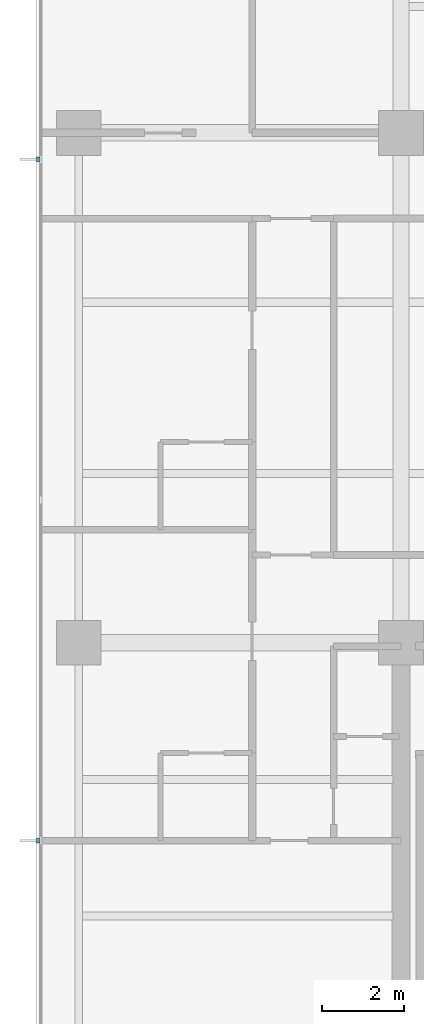
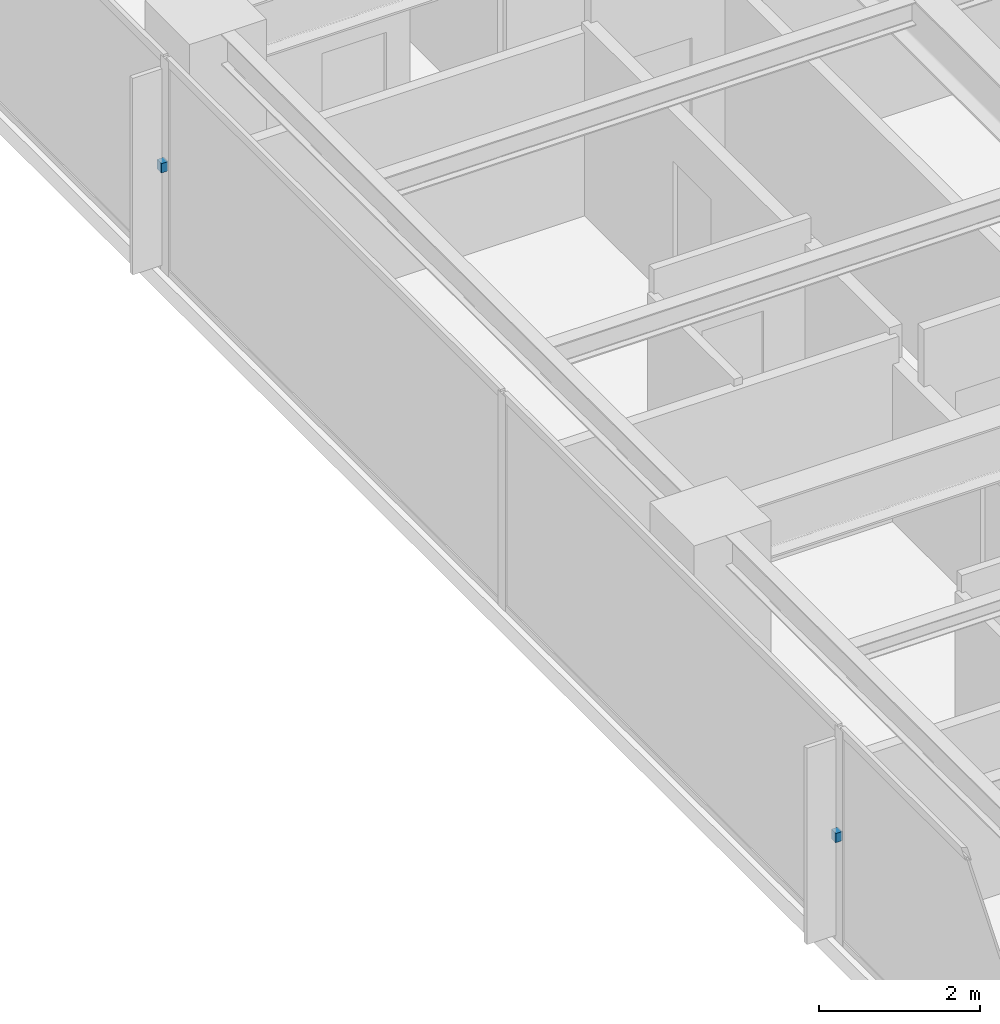
# One storey, part 11 of 14: 2 discrete accessories.
"""IFC4 building model written with IfcOpenShell, lengths in metres."""

from ifc_helpers import new_model, si_unit, direction, frame, origin, place, context, subcontext, project, spatial, polyline, outline, extrude, material, type_object, element, save


model = new_model("IFC4")

# Units and contexts
model_context = context("Model", 3, precision=1e-05, world=origin(), true_north=direction((0.0, 1.0)))
body_context = subcontext(model_context, "Body", "Model", "MODEL_VIEW")
ifc_project = project(units=[si_unit("LENGTHUNIT", "METRE"), si_unit("AREAUNIT", "SQUARE_METRE"), si_unit("VOLUMEUNIT", "CUBIC_METRE"), si_unit("PLANEANGLEUNIT", "RADIAN"), si_unit("MASSUNIT", "GRAM", prefix="KILO")], contexts=[model_context])

# Site, building, storey
site_placement = place(None, origin())
site = spatial("IfcSite", under=ifc_project, at=site_placement, CompositionType="ELEMENT")
building_placement = place(site_placement, origin())
building = spatial("IfcBuilding", under=site, at=building_placement, Name="Qalmaran Belvedere Hotel", CompositionType="ELEMENT")
storey_placement = place(building_placement, frame((0.0, 0.0, 166.60009765625)))
storey = spatial("IfcBuildingStorey", under=building, at=storey_placement, Name="L42", CompositionType="ELEMENT", Elevation=166.60009765625)

# Discrete accessories
ifc_material = material(Name="Stainless Steel 1.4401", Category="steel")
discrete_accessory_type = type_object("IfcDiscreteAccessoryType", Name="BRK-FIN-SS316", PredefinedType="BRACKET", material=ifc_material)
discrete_accessory_1_placement = place(storey_placement, frame((0.0, 0.0, 1.574951171875)))
element("IfcDiscreteAccessory", 1, at=discrete_accessory_1_placement, inside=storey, type_object=discrete_accessory_type, Name="L42 Fin Bracket 1", PredefinedType="BRACKET", context=body_context, shape_type="SweptSolid", body=[
    extrude(outline(polyline([(11.455078125, 32.405029296875), (11.360107421875, 32.405029296875), (11.360107421875, 32.294921875), (11.455078125, 32.294921875), (11.455078125, 32.405029296875)])), origin(), (0.0, 0.0, 1.0), 0.139892578125),
])
discrete_accessory_2_placement = place(storey_placement, frame((0.0, 0.0, 1.574951171875)))
element("IfcDiscreteAccessory", 2, at=discrete_accessory_2_placement, inside=storey, type_object=discrete_accessory_type, Name="L42 Fin Bracket 3", PredefinedType="BRACKET", context=body_context, shape_type="SweptSolid", body=[
    extrude(outline(polyline([(11.455078125, 15.705078125), (11.360107421875, 15.705078125), (11.360107421875, 15.594970703125), (11.455078125, 15.594970703125), (11.455078125, 15.705078125)])), origin(), (0.0, 0.0, 1.0), 0.139892578125),
])

save(model, "model.ifc")
